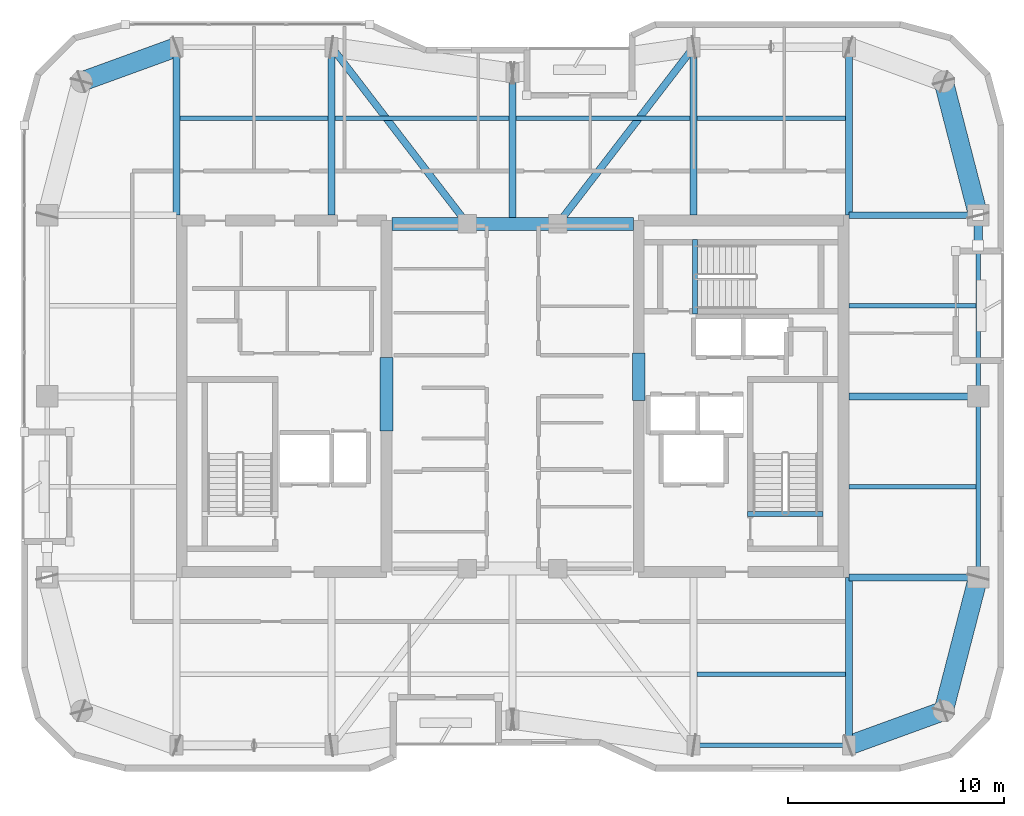
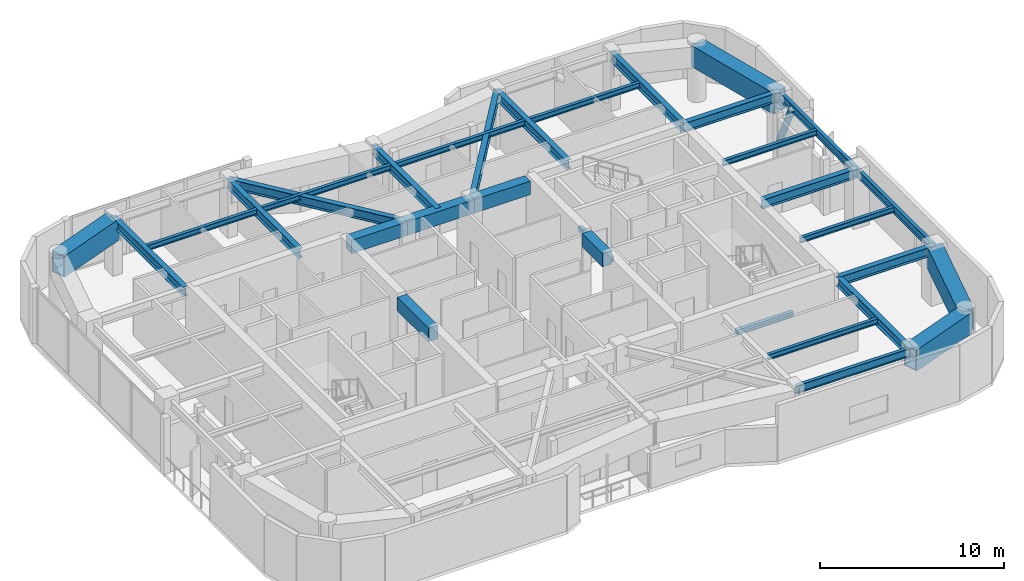
# One storey, part 5 of 15: 32 beams, 1 member.
"""IFC4 building model written with IfcOpenShell, lengths in metres."""

from ifc_helpers import new_model, si_unit, direction, frame, origin, origin_2d, place, context, subcontext, project, spatial, rectangle, hollow_rectangle, hollow_circle, i_section, extrude, material, material_profile, profile_set, type_object, element, save


model = new_model("IFC4")

# Units and contexts
model_context = context("Model", 3, precision=1e-05, world=origin(), true_north=direction((0.0, 1.0)))
body_context = subcontext(model_context, "Body", "Model", "MODEL_VIEW")
ifc_project = project(units=[si_unit("LENGTHUNIT", "METRE"), si_unit("AREAUNIT", "SQUARE_METRE"), si_unit("VOLUMEUNIT", "CUBIC_METRE"), si_unit("PLANEANGLEUNIT", "RADIAN"), si_unit("MASSUNIT", "GRAM", prefix="KILO")], contexts=[model_context])

# Site, building, storey
site_placement = place(None, origin())
site = spatial("IfcSite", under=ifc_project, at=site_placement, CompositionType="ELEMENT")
building_placement = place(site_placement, origin())
building = spatial("IfcBuilding", under=site, at=building_placement, Name="Kiyonajd Concourse Tower", CompositionType="ELEMENT")
storey_placement = place(building_placement, frame((0.0, 0.0, 270.60009765625)))
storey = spatial("IfcBuildingStorey", under=building, at=storey_placement, Name="L68", CompositionType="ELEMENT", Elevation=270.60009765625)

# Beams
ifc_material_1 = material(Name="Concrete C60/75", Category="concrete")
ifc_material_profile_1 = material_profile(ifc_material_1, rectangle(XDim=0.60009765625, YDim=0.89990234375, at=origin_2d()), Name="RCBM-600x900")
ifc_profile_set_1 = profile_set([ifc_material_profile_1], Name="Concrete C60/75")
beam_type_1 = type_object("IfcBeamType", Name="BM-COUP-900", PredefinedType="LINTEL", material=ifc_profile_set_1)
beam_1_placement = place(storey_placement, frame((42.39990234375, 44.0, 3.22998046875), z_axis=(1.0, 0.0, 0.0), x_axis=(0.0, 1.0, 0.0)))
element("IfcBeam", 1, at=beam_1_placement, inside=storey, type_object=beam_type_1, Name="L68 Core Coupling Beam N1", PredefinedType="LINTEL", context=body_context, shape_type="SweptSolid", body=[
    extrude(rectangle(XDim=0.60009765625, YDim=0.89990234375, at=origin_2d()), origin(), (0.0, 0.0, 1.0), 3.5),
])
beam_2_placement = place(storey_placement, frame((45.89990234375, 44.0, 3.22998046875), z_axis=(1.0, 0.0, 0.0), x_axis=(0.0, 1.0, 0.0)))
element("IfcBeam", 2, at=beam_2_placement, inside=storey, type_object=beam_type_1, Name="L68 Core Coupling Beam N2", PredefinedType="LINTEL", context=body_context, shape_type="SweptSolid", body=[
    extrude(rectangle(XDim=0.60009765625, YDim=0.89990234375, at=origin_2d()), origin(), (0.0, 0.0, 1.0), 4.2001953125),
])
beam_3_placement = place(storey_placement, frame((50.10009765625, 44.0, 3.22998046875), z_axis=(1.0, 0.0, 0.0), x_axis=(0.0, 1.0, 0.0)))
element("IfcBeam", 3, at=beam_3_placement, inside=storey, type_object=beam_type_1, Name="L68 Core Coupling Beam N3", PredefinedType="LINTEL", context=body_context, shape_type="SweptSolid", body=[
    extrude(rectangle(XDim=0.60009765625, YDim=0.89990234375, at=origin_2d()), origin(), (0.0, 0.0, 1.0), 3.5),
])
beam_4_placement = place(storey_placement, frame((42.14990234375, 34.39990234375, 3.22998046875), z_axis=(0.0, 1.0, 0.0), x_axis=(-1.0, 0.0, 0.0)))
element("IfcBeam", 4, at=beam_4_placement, inside=storey, type_object=beam_type_1, Name="L68 West Core Throat Coupling Lintel", PredefinedType="LINTEL", context=body_context, shape_type="SweptSolid", body=[
    extrude(rectangle(XDim=0.60009765625, YDim=0.89990234375, at=origin_2d()), origin(), (0.0, 0.0, 1.0), 3.400146484375),
])
beam_5_placement = place(storey_placement, frame((53.85009765625, 35.800048828125, 3.22998046875), z_axis=(0.0, 1.0, 0.0), x_axis=(-1.0, 0.0, 0.0)))
element("IfcBeam", 5, at=beam_5_placement, inside=storey, type_object=beam_type_1, Name="L68 East Core Throat Coupling Lintel", PredefinedType="LINTEL", context=body_context, shape_type="SweptSolid", body=[
    extrude(rectangle(XDim=0.60009765625, YDim=0.89990234375, at=origin_2d()), origin(), (0.0, 0.0, 1.0), 2.199951171875),
])
ifc_material_2 = material(Name="Steel ASTM A992 Grade 50", Category="steel")
ifc_material_profile_2 = material_profile(ifc_material_2, i_section(OverallWidth=0.205078125, OverallDepth=0.35400390625, WebThickness=0.009521484375, FlangeThickness=0.016845703125, at=origin_2d()), Name="W360X79")
ifc_profile_set_2 = profile_set([ifc_material_profile_2], Name="Steel ASTM A992 Grade 50")
beam_type_2 = type_object("IfcBeamType", Name="BM-JST-360", PredefinedType="JOIST", material=ifc_profile_set_2)
for number, where, z_axis, x_axis, name in (
    (6, (56.56201171875, 23.10009765625, 3.5029296875), (1.0, 0.0, 0.0), (0.0, 1.0, 0.0), "L68 Secondary Floor Joist"),
    (7, (32.56201171875, 48.89990234375, 3.5029296875), (1.0, 0.0, 0.0), (0.0, 1.0, 0.0), "L68 Secondary Floor Joist"),
):
    element("IfcBeam", number, at=place(storey_placement, frame(where, z_axis=z_axis, x_axis=x_axis)), inside=storey, type_object=beam_type_2, Name=name, PredefinedType="JOIST", context=body_context, shape_type="SweptSolid", body=[
        extrude(i_section(OverallWidth=0.205078125, OverallDepth=0.35400390625, WebThickness=0.009521484375, FlangeThickness=0.016845703125, at=origin_2d()), origin(), (0.0, 0.0, 1.0), 6.8759765625),
    ])
for number, where, z_axis, x_axis, name in (
    (8, (39.761962890625, 48.89990234375, 3.5029296875), (1.0, 0.0, 0.0), (0.0, 1.0, 0.0), "L68 Secondary Floor Joist"),
    (9, (48.162109375, 48.89990234375, 3.5029296875), (1.0, 0.0, 0.0), (0.0, 1.0, 0.0), "L68 Secondary Floor Joist"),
):
    element("IfcBeam", number, at=place(storey_placement, frame(where, z_axis=z_axis, x_axis=x_axis)), inside=storey, type_object=beam_type_2, Name=name, PredefinedType="JOIST", context=body_context, shape_type="SweptSolid", body=[
        extrude(i_section(OverallWidth=0.205078125, OverallDepth=0.35400390625, WebThickness=0.009521484375, FlangeThickness=0.016845703125, at=origin_2d()), origin(), (0.0, 0.0, 1.0), 8.075927734375),
    ])
beam_6_placement = place(storey_placement, frame((56.56201171875, 48.89990234375, 3.5029296875), z_axis=(1.0, 0.0, 0.0), x_axis=(0.0, 1.0, 0.0)))
element("IfcBeam", 10, at=beam_6_placement, inside=storey, type_object=beam_type_2, Name="L68 Secondary Floor Joist", PredefinedType="JOIST", context=body_context, shape_type="SweptSolid", body=[
    extrude(i_section(OverallWidth=0.205078125, OverallDepth=0.35400390625, WebThickness=0.009521484375, FlangeThickness=0.016845703125, at=origin_2d()), origin(), (0.0, 0.0, 1.0), 6.8759765625),
])
for number, where, z_axis, x_axis, name in (
    (11, (63.60009765625, 31.800048828125, 3.5029296875), (1.0, 0.0, 0.0), (0.0, 1.0, 0.0), "L68 East Secondary Floor Joist"),
    (12, (63.60009765625, 40.199951171875, 3.5029296875), (1.0, 0.0, 0.0), (0.0, 1.0, 0.0), "L68 East Secondary Floor Joist"),
):
    element("IfcBeam", number, at=place(storey_placement, frame(where, z_axis=z_axis, x_axis=x_axis)), inside=storey, type_object=beam_type_2, Name=name, PredefinedType="JOIST", context=body_context, shape_type="SweptSolid", body=[
        extrude(i_section(OverallWidth=0.205078125, OverallDepth=0.35400390625, WebThickness=0.009521484375, FlangeThickness=0.016845703125, at=origin_2d()), origin(), (0.0, 0.0, 1.0), 5.894287109375),
    ])
ifc_material_3 = material(Name="Concrete C50/60", Category="concrete")
ifc_material_profile_3 = material_profile(ifc_material_3, rectangle(XDim=0.239990234375, YDim=0.320068359375, at=origin_2d()), Name="RCBM-240x320")
ifc_profile_set_3 = profile_set([ifc_material_profile_3], Name="Concrete C50/60")
beam_type_3 = type_object("IfcBeamType", Name="BM-LNT-250", PredefinedType="LINTEL", material=ifc_profile_set_3)
beam_7_placement = place(storey_placement, frame((58.889892578125, 30.530029296875, -0.16015625), z_axis=(1.0, 0.0, 0.0), x_axis=(0.0, 1.0, 0.0)))
element("IfcBeam", 13, at=beam_7_placement, inside=storey, type_object=beam_type_3, Name="L68 Stair ST2 Threshold Support Beam", PredefinedType="LINTEL", context=body_context, shape_type="SweptSolid", body=[
    extrude(rectangle(XDim=0.239990234375, YDim=0.320068359375, at=origin_2d()), origin(), (0.0, 0.0, 1.0), 3.52001953125),
])
beam_8_placement = place(storey_placement, frame((56.4599609375, 39.820068359375, -0.16015625), z_axis=(0.0, 1.0, 0.0), x_axis=(-1.0, 0.0, 0.0)))
element("IfcBeam", 14, at=beam_8_placement, inside=storey, type_object=beam_type_3, Name="L68 Stair ST3 Threshold Support Beam", PredefinedType="LINTEL", context=body_context, shape_type="SweptSolid", body=[
    extrude(rectangle(XDim=0.239990234375, YDim=0.320068359375, at=origin_2d()), origin(), (0.0, 0.0, 1.0), 3.4599609375),
])
ifc_material_profile_4 = material_profile(ifc_material_2, i_section(OverallWidth=0.2109375, OverallDepth=0.5390625, WebThickness=0.01171875, FlangeThickness=0.018798828125, at=origin_2d()), Name="W530X109")
ifc_profile_set_4 = profile_set([ifc_material_profile_4], Name="Steel ASTM A992 Grade 50")
beam_type_4 = type_object("IfcBeamType", Name="BM-SPAN-530B", PredefinedType="SPANDREL", material=ifc_profile_set_4)
beam_9_placement = place(storey_placement, frame((56.39990234375, 19.800048828125, 3.410400390625), z_axis=(1.0, 0.0, 0.0), x_axis=(0.0, 1.0, 0.0)))
element("IfcBeam", 15, at=beam_9_placement, inside=storey, type_object=beam_type_4, Name="L68 Perimeter Bundled Tube Spandrel", PredefinedType="SPANDREL", context=body_context, shape_type="SweptSolid", body=[
    extrude(i_section(OverallWidth=0.2109375, OverallDepth=0.5390625, WebThickness=0.01171875, FlangeThickness=0.018798828125, at=origin_2d()), origin(), (0.0, 0.0, 1.0), 7.2001953125),
])
for number, where, z_axis, x_axis, name in (
    (16, (69.60009765625, 27.60009765625, 3.410400390625), (0.0, 1.0, 0.0), (-1.0, 0.0, 0.0), "L68 Perimeter Bundled Tube Spandrel"),
    (17, (69.60009765625, 36.0, 3.410400390625), (0.0, 1.0, 0.0), (-1.0, 0.0, 0.0), "L68 Perimeter Bundled Tube Spandrel"),
):
    element("IfcBeam", number, at=place(storey_placement, frame(where, z_axis=z_axis, x_axis=x_axis)), inside=storey, type_object=beam_type_4, Name=name, PredefinedType="SPANDREL", context=body_context, shape_type="SweptSolid", body=[
        extrude(i_section(OverallWidth=0.2109375, OverallDepth=0.5390625, WebThickness=0.01171875, FlangeThickness=0.018798828125, at=origin_2d()), origin(), (0.0, 0.0, 1.0), 8.39990234375),
    ])
ifc_material_profile_5 = material_profile(ifc_material_2, i_section(OverallWidth=0.326904296875, OverallDepth=0.6220703125, WebThickness=0.015380859375, FlangeThickness=0.0244140625, at=origin_2d()), Name="W610X195")
ifc_profile_set_5 = profile_set([ifc_material_profile_5], Name="Steel ASTM A992 Grade 50")
beam_type_5 = type_object("IfcBeamType", Name="BM-TWR-610A", PredefinedType="BEAM", material=ifc_profile_set_5)
for number, where, z_axis, x_axis, name in (
    (18, (39.60009765625, 52.199951171875, 3.368896484375), (0.609233709922, -0.792990722956, 0.0), (0.792990722956, 0.609233709922, 0.0), "L68 Core Tie Girder"),
    (19, (50.10009765625, 44.0, 3.368896484375), (0.609233709922, 0.792990722956, 0.0), (-0.792990722956, 0.609233709922, 0.0), "L68 Core Tie Girder"),
):
    element("IfcBeam", number, at=place(storey_placement, frame(where, z_axis=z_axis, x_axis=x_axis)), inside=storey, type_object=beam_type_5, Name=name, PredefinedType="BEAM", context=body_context, shape_type="SweptSolid", body=[
        extrude(i_section(OverallWidth=0.326904296875, OverallDepth=0.6220703125, WebThickness=0.015380859375, FlangeThickness=0.0244140625, at=origin_2d()), origin(), (0.0, 0.0, 1.0), 10.340576171875),
    ])
ifc_material_profile_6 = material_profile(ifc_material_2, i_section(OverallWidth=0.323974609375, OverallDepth=0.611083984375, WebThickness=0.0126953125, FlangeThickness=0.01904296875, at=origin_2d()), Name="W610X155")
ifc_profile_set_6 = profile_set([ifc_material_profile_6], Name="Steel ASTM A992 Grade 50")
beam_type_6 = type_object("IfcBeamType", Name="BM-TWR-610B", PredefinedType="BEAM", material=ifc_profile_set_6)
for number, where, z_axis, x_axis, name in (
    (20, (32.39990234375, 44.39990234375, 3.37451171875), (0.0, 1.0, 0.0), (-1.0, 0.0, 0.0), "L68 North Lease Girder"),
    (21, (39.60009765625, 44.39990234375, 3.37451171875), (0.0, 1.0, 0.0), (-1.0, 0.0, 0.0), "L68 North Lease Girder"),
    (22, (56.39990234375, 44.39990234375, 3.37451171875), (0.0, 1.0, 0.0), (-1.0, 0.0, 0.0), "L68 North Lease Girder"),
    (23, (63.60009765625, 19.800048828125, 3.37451171875), (0.0, 1.0, 0.0), (-1.0, 0.0, 0.0), "L68 South Lease Girder"),
    (24, (63.60009765625, 44.39990234375, 3.37451171875), (0.0, 1.0, 0.0), (-1.0, 0.0, 0.0), "L68 North Lease Girder"),
):
    element("IfcBeam", number, at=place(storey_placement, frame(where, z_axis=z_axis, x_axis=x_axis)), inside=storey, type_object=beam_type_6, Name=name, PredefinedType="BEAM", context=body_context, shape_type="SweptSolid", body=[
        extrude(i_section(OverallWidth=0.323974609375, OverallDepth=0.611083984375, WebThickness=0.0126953125, FlangeThickness=0.01904296875, at=origin_2d()), origin(), (0.0, 0.0, 1.0), 7.800048828125),
    ])
beam_10_placement = place(storey_placement, frame((48.0, 44.0, 3.37451171875), z_axis=(0.0, 1.0, 0.0), x_axis=(-1.0, 0.0, 0.0)))
element("IfcBeam", 25, at=beam_10_placement, inside=storey, type_object=beam_type_6, Name="L68 North Ribbon Girder", PredefinedType="BEAM", context=body_context, shape_type="SweptSolid", body=[
    extrude(i_section(OverallWidth=0.323974609375, OverallDepth=0.611083984375, WebThickness=0.0126953125, FlangeThickness=0.01904296875, at=origin_2d()), origin(), (0.0, 0.0, 1.0), 7.0),
])
for number, where, z_axis, x_axis, name in (
    (26, (63.60009765625, 27.60009765625, 3.37451171875), (1.0, 0.0, 0.0), (0.0, 1.0, 0.0), "L68 East Lease Girder"),
    (27, (63.60009765625, 36.0, 3.37451171875), (1.0, 0.0, 0.0), (0.0, 1.0, 0.0), "L68 East Lease Girder"),
    (28, (63.60009765625, 44.39990234375, 3.37451171875), (1.0, 0.0, 0.0), (0.0, 1.0, 0.0), "L68 East Lease Girder"),
):
    element("IfcBeam", number, at=place(storey_placement, frame(where, z_axis=z_axis, x_axis=x_axis)), inside=storey, type_object=beam_type_6, Name=name, PredefinedType="BEAM", context=body_context, shape_type="SweptSolid", body=[
        extrude(i_section(OverallWidth=0.323974609375, OverallDepth=0.611083984375, WebThickness=0.0126953125, FlangeThickness=0.01904296875, at=origin_2d()), origin(), (0.0, 0.0, 1.0), 6.0),
    ])
ifc_material_4 = material(Name="Steel ASTM A572 Grade 50", Category="steel")
ifc_material_profile_7 = material_profile(ifc_material_4, hollow_rectangle(XDim=0.89990234375, YDim=1.39990234375, WallThickness=0.070068359375, at=origin_2d()), Name="BOX-1400x900x70")
ifc_profile_set_7 = profile_set([ifc_material_profile_7], Name="Steel ASTM A572 Grade 50")
beam_type_7 = type_object("IfcBeamType", Name="BM-XFER-1400", PredefinedType="BEAM", material=ifc_profile_set_7)
beam_11_placement = place(storey_placement, frame((63.60009765625, 19.800048828125, 2.97998046875), z_axis=(0.939801036019, 0.341722127901, 0.0), x_axis=(-0.341722127901, 0.939801036019, 0.0)))
element("IfcBeam", 29, at=beam_11_placement, inside=storey, type_object=beam_type_7, Name="L68 Perimeter Bundled Tube Spandrel", PredefinedType="BEAM", context=body_context, shape_type="SweptSolid", body=[
    extrude(hollow_rectangle(XDim=0.89990234375, YDim=1.39990234375, WallThickness=0.070068359375, at=origin_2d()), origin(), (0.0, 0.0, 1.0), 4.681640625),
])
for number, where, z_axis, x_axis, name in (
    (30, (68.0, 21.39990234375, 2.97998046875), (0.249884937687, 0.968275538221, 0.0), (-0.968275538221, 0.249884937687, 0.0), "L68 Perimeter Bundled Tube Spandrel"),
    (31, (69.60009765625, 44.39990234375, 2.97998046875), (-0.249884937687, 0.968275538221, 0.0), (-0.968275538221, -0.249884937687, 0.0), "L68 Perimeter Bundled Tube Spandrel"),
):
    element("IfcBeam", number, at=place(storey_placement, frame(where, z_axis=z_axis, x_axis=x_axis)), inside=storey, type_object=beam_type_7, Name=name, PredefinedType="BEAM", context=body_context, shape_type="SweptSolid", body=[
        extrude(hollow_rectangle(XDim=0.89990234375, YDim=1.39990234375, WallThickness=0.070068359375, at=origin_2d()), origin(), (0.0, 0.0, 1.0), 6.4033203125),
    ])
beam_12_placement = place(storey_placement, frame((32.39990234375, 52.199951171875, 2.97998046875), z_axis=(-0.939801036019, -0.341722127901, 0.0), x_axis=(0.341722127901, -0.939801036019, 0.0)))
element("IfcBeam", 32, at=beam_12_placement, inside=storey, type_object=beam_type_7, Name="L68 Perimeter Bundled Tube Spandrel", PredefinedType="BEAM", context=body_context, shape_type="SweptSolid", body=[
    extrude(hollow_rectangle(XDim=0.89990234375, YDim=1.39990234375, WallThickness=0.070068359375, at=origin_2d()), origin(), (0.0, 0.0, 1.0), 4.681640625),
])

# Member
ifc_material_5 = material(Name="Steel ASTM A500 Grade C", Category="steel")
ifc_material_profile_8 = material_profile(ifc_material_5, hollow_circle(Radius=0.202880859375, WallThickness=0.01904296875, at=origin_2d()), Name="CHS-406x19")
ifc_profile_set_8 = profile_set([ifc_material_profile_8], Name="Steel ASTM A500 Grade C")
member_type = type_object("IfcMemberType", Name="MB-PB-HIGH", PredefinedType="BRACE", material=ifc_profile_set_8)
member_placement = place(storey_placement, frame((69.60009765625, 44.39990234375, 0.2998046875), z_axis=(0.0, -0.419410666774, 0.907796614114), x_axis=(1.0, 0.0, 0.0)))
element("IfcMember", 33, at=member_placement, inside=storey, type_object=member_type, Name="L68 Upper Zone Hollow Tube Brace PBE", PredefinedType="BRACE", context=body_context, shape_type="SweptSolid", body=[
    extrude(hollow_circle(Radius=0.202880859375, WallThickness=0.01904296875, at=origin_2d()), origin(), (0.0, 0.0, 1.0), 3.337890625),
])

save(model, "model.ifc")
